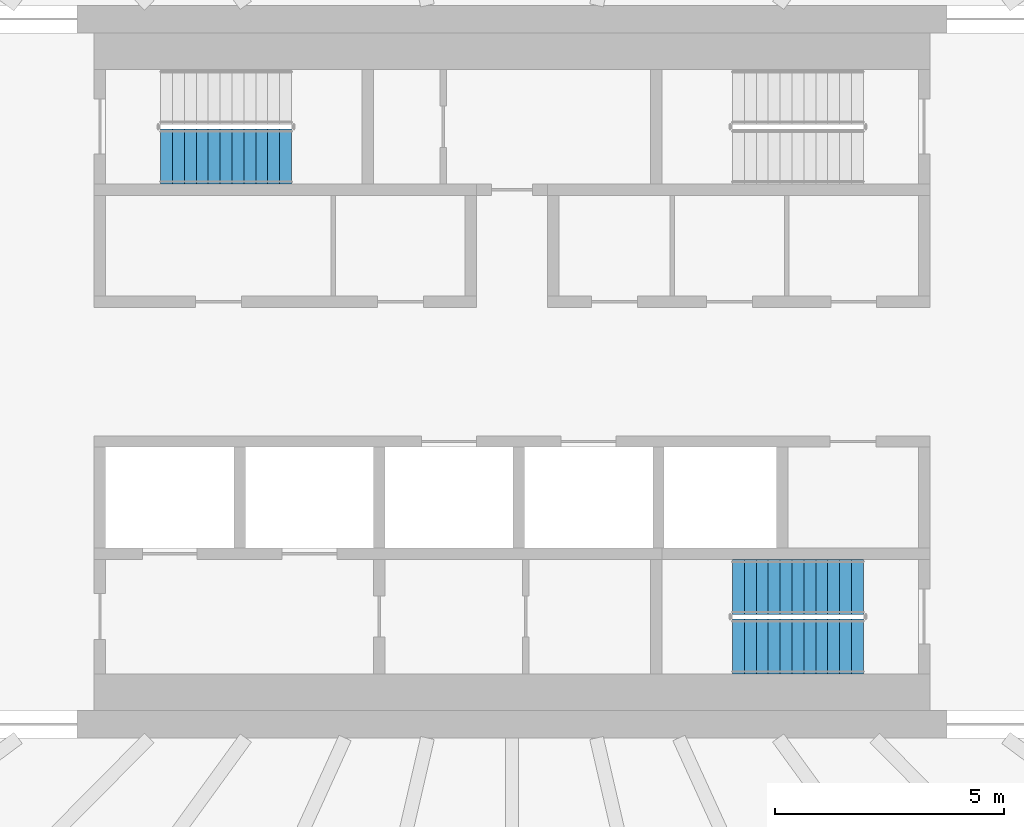
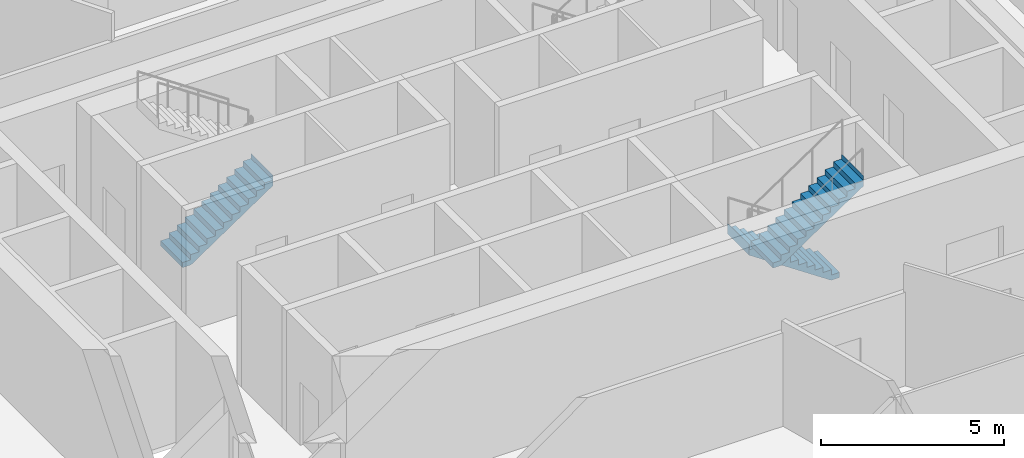
# One storey, part 17 of 24: 3 stair flights, 2 elements without a shape of their own.
"""IFC4 building model written with IfcOpenShell, lengths in metres."""

from ifc_helpers import new_model, si_unit, direction, frame, origin, place, context, subcontext, project, spatial, triangles, material, type_object, element, aggregate, save


model = new_model("IFC4")

# Units and contexts
model_context = context("Model", 3, precision=1e-05, world=origin(), true_north=direction((0.0, 1.0)))
body_context = subcontext(model_context, "Body", "Model", "MODEL_VIEW")
ifc_project = project(units=[si_unit("LENGTHUNIT", "METRE"), si_unit("AREAUNIT", "SQUARE_METRE"), si_unit("VOLUMEUNIT", "CUBIC_METRE"), si_unit("PLANEANGLEUNIT", "RADIAN"), si_unit("MASSUNIT", "GRAM", prefix="KILO")], contexts=[model_context])

# Site, building, storey
site_placement = place(None, origin())
site = spatial("IfcSite", under=ifc_project, at=site_placement, CompositionType="ELEMENT")
building_placement = place(site_placement, origin())
building = spatial("IfcBuilding", under=site, at=building_placement, Name="Sahrelin Media Tower", CompositionType="ELEMENT")
storey_placement = place(building_placement, frame((0.0, 0.0, 123.0)))
storey = spatial("IfcBuildingStorey", under=building, at=storey_placement, Name="L24", CompositionType="ELEMENT", Elevation=123.0)

# Stair, stair flight
ifc_material = material(Name="Concrete C40/50", Category="concrete")
stair_type = type_object("IfcStairType", Name="Exit stair 1200", PredefinedType="HALF_TURN_STAIR", material=ifc_material)
placement = place(storey_placement, origin())
stair_1 = element("IfcStair", 1, at=placement, inside=storey, type_object=stair_type, Name="L24 Exit stair ST1", PredefinedType="HALF_TURN_STAIR")
stair_flight_type = type_object("IfcStairFlightType", Name="Stair flight 1200", PredefinedType="STRAIGHT", material=ifc_material)
stair_flight_1_placement = place(storey_placement, frame((-7.675048828125, 4.699951171875, 0.0), z_axis=(0.0, 0.0, 1.0), x_axis=(1.0, 0.0, 0.0)))
stair_flight_1 = element("IfcStairFlight", 2, at=stair_flight_1_placement, type_object=stair_flight_type, Name="ST1 flight 1", NumberOfRisers=12, NumberOfTreads=11, PredefinedType="STRAIGHT", RiserHeight=0.175, TreadLength=0.26, context=body_context, shape_type="Tessellation", body=[
    triangles([(0.2685546875, 0.60009765625, 0.0), (0.2685546875, 0.300048828125, 0.0), (0.2685546875, 0.0, 0.0), (0.2685546875, -0.300048828125, 0.0), (0.2685546875, -0.60009765625, 0.0), (2.860107421875, 0.60009765625, 1.744384765625), (2.860107421875, 0.300048828125, 1.744384765625), (2.860107421875, 0.0, 1.744384765625), (2.860107421875, -0.300048828125, 1.744384765625), (2.860107421875, -0.60009765625, 1.744384765625), (2.860107421875, 0.60009765625, 2.10009765625), (2.860107421875, 0.300048828125, 2.10009765625), (2.860107421875, 0.0, 2.10009765625), (2.860107421875, -0.300048828125, 2.10009765625), (2.860107421875, -0.60009765625, 2.10009765625), (2.85791015625, 0.60009765625, 2.10009765625), (2.85791015625, 0.300048828125, 2.10009765625), (2.85791015625, 0.0, 2.10009765625), (2.85791015625, -0.300048828125, 2.10009765625), (2.85791015625, -0.60009765625, 2.10009765625), (2.85791015625, 0.60009765625, 1.925048828125), (2.85791015625, 0.300048828125, 1.925048828125), (2.85791015625, 0.0, 1.925048828125), (2.85791015625, -0.300048828125, 1.925048828125), (2.85791015625, -0.60009765625, 1.925048828125), (2.60009765625, 0.60009765625, 1.925048828125), (2.60009765625, 0.300048828125, 1.925048828125), (2.60009765625, 0.0, 1.925048828125), (2.60009765625, -0.300048828125, 1.925048828125), (2.60009765625, -0.60009765625, 1.925048828125), (2.60009765625, 0.60009765625, 1.75), (2.60009765625, 0.300048828125, 1.75), (2.60009765625, 0.0, 1.75), (2.60009765625, -0.300048828125, 1.75), (2.60009765625, -0.60009765625, 1.75), (2.340087890625, 0.60009765625, 1.75), (2.340087890625, 0.300048828125, 1.75), (2.340087890625, 0.0, 1.75), (2.340087890625, -0.300048828125, 1.75), (2.340087890625, -0.60009765625, 1.75), (2.340087890625, 0.60009765625, 1.574951171875), (2.340087890625, 0.300048828125, 1.574951171875), (2.340087890625, 0.0, 1.574951171875), (2.340087890625, -0.300048828125, 1.574951171875), (2.340087890625, -0.60009765625, 1.574951171875), (2.080078125, 0.60009765625, 1.574951171875), (2.080078125, 0.300048828125, 1.574951171875), (2.080078125, 0.0, 1.574951171875), (2.080078125, -0.300048828125, 1.574951171875), (2.080078125, -0.60009765625, 1.574951171875), (2.080078125, 0.60009765625, 1.39990234375), (2.080078125, 0.300048828125, 1.39990234375), (2.080078125, 0.0, 1.39990234375), (2.080078125, -0.300048828125, 1.39990234375), (2.080078125, -0.60009765625, 1.39990234375), (1.820068359375, 0.60009765625, 1.39990234375), (1.820068359375, 0.300048828125, 1.39990234375), (1.820068359375, 0.0, 1.39990234375), (1.820068359375, -0.300048828125, 1.39990234375), (1.820068359375, -0.60009765625, 1.39990234375), (1.820068359375, 0.60009765625, 1.22509765625), (1.820068359375, 0.300048828125, 1.22509765625), (1.820068359375, 0.0, 1.22509765625), (1.820068359375, -0.300048828125, 1.22509765625), (1.820068359375, -0.60009765625, 1.22509765625), (1.56005859375, 0.60009765625, 1.22509765625), (1.56005859375, 0.300048828125, 1.22509765625), (1.56005859375, 0.0, 1.22509765625), (1.56005859375, -0.300048828125, 1.22509765625), (1.56005859375, -0.60009765625, 1.22509765625), (1.56005859375, 0.60009765625, 1.050048828125), (1.56005859375, 0.300048828125, 1.050048828125), (1.56005859375, 0.0, 1.050048828125), (1.56005859375, -0.300048828125, 1.050048828125), (1.56005859375, -0.60009765625, 1.050048828125), (1.300048828125, 0.60009765625, 1.050048828125), (1.300048828125, 0.300048828125, 1.050048828125), (1.300048828125, 0.0, 1.050048828125), (1.300048828125, -0.300048828125, 1.050048828125), (1.300048828125, -0.60009765625, 1.050048828125), (1.300048828125, 0.60009765625, 0.875), (1.300048828125, 0.300048828125, 0.875), (1.300048828125, 0.0, 0.875), (1.300048828125, -0.300048828125, 0.875), (1.300048828125, -0.60009765625, 0.875), (1.0400390625, 0.60009765625, 0.875), (1.0400390625, 0.300048828125, 0.875), (1.0400390625, 0.0, 0.875), (1.0400390625, -0.300048828125, 0.875), (1.0400390625, -0.60009765625, 0.875), (1.0400390625, 0.60009765625, 0.699951171875), (1.0400390625, 0.300048828125, 0.699951171875), (1.0400390625, 0.0, 0.699951171875), (1.0400390625, -0.300048828125, 0.699951171875), (1.0400390625, -0.60009765625, 0.699951171875), (0.780029296875, 0.60009765625, 0.699951171875), (0.780029296875, 0.300048828125, 0.699951171875), (0.780029296875, 0.0, 0.699951171875), (0.780029296875, -0.300048828125, 0.699951171875), (0.780029296875, -0.60009765625, 0.699951171875), (0.780029296875, 0.60009765625, 0.52490234375), (0.780029296875, 0.300048828125, 0.52490234375), (0.780029296875, 0.0, 0.52490234375), (0.780029296875, -0.300048828125, 0.52490234375), (0.780029296875, -0.60009765625, 0.52490234375), (0.52001953125, 0.60009765625, 0.52490234375), (0.52001953125, 0.300048828125, 0.52490234375), (0.52001953125, 0.0, 0.52490234375), (0.52001953125, -0.300048828125, 0.52490234375), (0.52001953125, -0.60009765625, 0.52490234375), (0.52001953125, 0.60009765625, 0.35009765625), (0.52001953125, 0.300048828125, 0.35009765625), (0.52001953125, 0.0, 0.35009765625), (0.52001953125, -0.300048828125, 0.35009765625), (0.52001953125, -0.60009765625, 0.35009765625), (0.260009765625, 0.60009765625, 0.35009765625), (0.260009765625, 0.300048828125, 0.35009765625), (0.260009765625, 0.0, 0.35009765625), (0.260009765625, -0.300048828125, 0.35009765625), (0.260009765625, -0.60009765625, 0.35009765625), (0.260009765625, 0.60009765625, 0.175048828125), (0.260009765625, 0.300048828125, 0.175048828125), (0.260009765625, 0.0, 0.175048828125), (0.260009765625, -0.300048828125, 0.175048828125), (0.260009765625, -0.60009765625, 0.175048828125), (0.0, 0.60009765625, 0.175048828125), (0.0, 0.300048828125, 0.175048828125), (0.0, 0.0, 0.175048828125), (0.0, -0.300048828125, 0.175048828125), (0.0, -0.60009765625, 0.175048828125), (0.0, 0.60009765625, 0.0), (0.0, 0.300048828125, 0.0), (0.0, 0.0, 0.0), (0.0, -0.300048828125, 0.0), (0.0, -0.60009765625, 0.0)], [[1, 6, 7], [1, 7, 2], [2, 7, 8], [2, 8, 3], [3, 8, 9], [3, 9, 4], [4, 9, 10], [4, 10, 5], [6, 11, 12], [6, 12, 7], [7, 12, 13], [7, 13, 8], [8, 13, 14], [8, 14, 9], [9, 14, 15], [9, 15, 10], [11, 16, 17], [11, 17, 12], [12, 17, 18], [12, 18, 13], [13, 18, 19], [13, 19, 14], [14, 19, 20], [14, 20, 15], [16, 21, 22], [16, 22, 17], [17, 22, 23], [17, 23, 18], [18, 23, 24], [18, 24, 19], [19, 24, 25], [19, 25, 20], [21, 26, 27], [21, 27, 22], [22, 27, 28], [22, 28, 23], [23, 28, 29], [23, 29, 24], [24, 29, 30], [24, 30, 25], [26, 31, 32], [26, 32, 27], [27, 32, 33], [27, 33, 28], [28, 33, 34], [28, 34, 29], [29, 34, 35], [29, 35, 30], [31, 36, 37], [31, 37, 32], [32, 37, 38], [32, 38, 33], [33, 38, 39], [33, 39, 34], [34, 39, 40], [34, 40, 35], [36, 41, 42], [36, 42, 37], [37, 42, 43], [37, 43, 38], [38, 43, 44], [38, 44, 39], [39, 44, 45], [39, 45, 40], [41, 46, 47], [41, 47, 42], [42, 47, 48], [42, 48, 43], [43, 48, 49], [43, 49, 44], [44, 49, 50], [44, 50, 45], [46, 51, 52], [46, 52, 47], [47, 52, 53], [47, 53, 48], [48, 53, 54], [48, 54, 49], [49, 54, 55], [49, 55, 50], [51, 56, 57], [51, 57, 52], [52, 57, 58], [52, 58, 53], [53, 58, 59], [53, 59, 54], [54, 59, 60], [54, 60, 55], [56, 61, 62], [56, 62, 57], [57, 62, 63], [57, 63, 58], [58, 63, 64], [58, 64, 59], [59, 64, 65], [59, 65, 60], [61, 66, 67], [61, 67, 62], [62, 67, 68], [62, 68, 63], [63, 68, 69], [63, 69, 64], [64, 69, 70], [64, 70, 65], [66, 71, 72], [66, 72, 67], [67, 72, 73], [67, 73, 68], [68, 73, 74], [68, 74, 69], [69, 74, 75], [69, 75, 70], [71, 76, 77], [71, 77, 72], [72, 77, 78], [72, 78, 73], [73, 78, 79], [73, 79, 74], [74, 79, 80], [74, 80, 75], [76, 81, 82], [76, 82, 77], [77, 82, 83], [77, 83, 78], [78, 83, 84], [78, 84, 79], [79, 84, 85], [79, 85, 80], [81, 86, 87], [81, 87, 82], [82, 87, 88], [82, 88, 83], [83, 88, 89], [83, 89, 84], [84, 89, 90], [84, 90, 85], [86, 91, 92], [86, 92, 87], [87, 92, 93], [87, 93, 88], [88, 93, 94], [88, 94, 89], [89, 94, 95], [89, 95, 90], [91, 96, 97], [91, 97, 92], [92, 97, 98], [92, 98, 93], [93, 98, 99], [93, 99, 94], [94, 99, 100], [94, 100, 95], [96, 101, 102], [96, 102, 97], [97, 102, 103], [97, 103, 98], [98, 103, 104], [98, 104, 99], [99, 104, 105], [99, 105, 100], [101, 106, 107], [101, 107, 102], [102, 107, 108], [102, 108, 103], [103, 108, 109], [103, 109, 104], [104, 109, 110], [104, 110, 105], [106, 111, 112], [106, 112, 107], [107, 112, 113], [107, 113, 108], [108, 113, 114], [108, 114, 109], [109, 114, 115], [109, 115, 110], [111, 116, 117], [111, 117, 112], [112, 117, 118], [112, 118, 113], [113, 118, 119], [113, 119, 114], [114, 119, 120], [114, 120, 115], [116, 121, 122], [116, 122, 117], [117, 122, 123], [117, 123, 118], [118, 123, 124], [118, 124, 119], [119, 124, 125], [119, 125, 120], [121, 126, 127], [121, 127, 122], [122, 127, 128], [122, 128, 123], [123, 128, 129], [123, 129, 124], [124, 129, 130], [124, 130, 125], [126, 131, 132], [126, 132, 127], [127, 132, 133], [127, 133, 128], [128, 133, 134], [128, 134, 129], [129, 134, 135], [129, 135, 130], [131, 1, 2], [131, 2, 132], [132, 2, 3], [132, 3, 133], [133, 3, 4], [133, 4, 134], [134, 4, 5], [134, 5, 135], [125, 130, 135], [121, 131, 126], [125, 115, 120], [121, 116, 111], [115, 105, 110], [111, 106, 101], [105, 95, 100], [101, 96, 91], [95, 85, 90], [91, 86, 81], [85, 75, 80], [81, 76, 71], [75, 65, 70], [71, 66, 61], [65, 55, 60], [61, 56, 51], [55, 45, 50], [51, 46, 41], [45, 35, 40], [41, 36, 31], [35, 25, 30], [31, 26, 21], [25, 15, 20], [21, 16, 11], [135, 5, 125], [131, 121, 1], [95, 105, 5], [91, 1, 101], [5, 10, 75], [1, 71, 6], [10, 35, 45], [6, 41, 31], [25, 10, 15], [21, 11, 6], [115, 125, 5], [111, 1, 121], [75, 85, 5], [71, 1, 81], [35, 10, 25], [31, 21, 6], [105, 115, 5], [101, 1, 111], [45, 55, 10], [41, 6, 51], [85, 95, 5], [81, 1, 91], [65, 10, 55], [61, 51, 6], [10, 65, 75], [6, 71, 61]], closed=True),
])
aggregate(stair_1, [stair_flight_1])

# Stair, stair flights
stair_2 = element("IfcStair", 3, at=placement, inside=storey, type_object=stair_type, Name="L24 Exit stair ST2", PredefinedType="HALF_TURN_STAIR")
stair_flight_2_placement = place(storey_placement, frame((7.675048828125, -4.699951171875, 0.0), z_axis=(0.0, 0.0, 1.0), x_axis=(-1.0, 0.0, 0.0)))
stair_flight_2 = element("IfcStairFlight", 4, at=stair_flight_2_placement, type_object=stair_flight_type, Name="ST2 flight 1", NumberOfRisers=12, NumberOfTreads=11, PredefinedType="STRAIGHT", RiserHeight=0.175, TreadLength=0.26, context=body_context, shape_type="Tessellation", body=[
    triangles([(0.2685546875, 0.60009765625, 0.0), (0.2685546875, 0.300048828125, 0.0), (0.2685546875, 0.0, 0.0), (0.2685546875, -0.300048828125, 0.0), (0.2685546875, -0.60009765625, 0.0), (2.860107421875, 0.60009765625, 1.744384765625), (2.860107421875, 0.300048828125, 1.744384765625), (2.860107421875, 0.0, 1.744384765625), (2.860107421875, -0.300048828125, 1.744384765625), (2.860107421875, -0.60009765625, 1.744384765625), (2.860107421875, 0.60009765625, 2.10009765625), (2.860107421875, 0.300048828125, 2.10009765625), (2.860107421875, 0.0, 2.10009765625), (2.860107421875, -0.300048828125, 2.10009765625), (2.860107421875, -0.60009765625, 2.10009765625), (2.85791015625, 0.60009765625, 2.10009765625), (2.85791015625, 0.300048828125, 2.10009765625), (2.85791015625, 0.0, 2.10009765625), (2.85791015625, -0.300048828125, 2.10009765625), (2.85791015625, -0.60009765625, 2.10009765625), (2.85791015625, 0.60009765625, 1.925048828125), (2.85791015625, 0.300048828125, 1.925048828125), (2.85791015625, 0.0, 1.925048828125), (2.85791015625, -0.300048828125, 1.925048828125), (2.85791015625, -0.60009765625, 1.925048828125), (2.60009765625, 0.60009765625, 1.925048828125), (2.60009765625, 0.300048828125, 1.925048828125), (2.60009765625, 0.0, 1.925048828125), (2.60009765625, -0.300048828125, 1.925048828125), (2.60009765625, -0.60009765625, 1.925048828125), (2.60009765625, 0.60009765625, 1.75), (2.60009765625, 0.300048828125, 1.75), (2.60009765625, 0.0, 1.75), (2.60009765625, -0.300048828125, 1.75), (2.60009765625, -0.60009765625, 1.75), (2.340087890625, 0.60009765625, 1.75), (2.340087890625, 0.300048828125, 1.75), (2.340087890625, 0.0, 1.75), (2.340087890625, -0.300048828125, 1.75), (2.340087890625, -0.60009765625, 1.75), (2.340087890625, 0.60009765625, 1.574951171875), (2.340087890625, 0.300048828125, 1.574951171875), (2.340087890625, 0.0, 1.574951171875), (2.340087890625, -0.300048828125, 1.574951171875), (2.340087890625, -0.60009765625, 1.574951171875), (2.080078125, 0.60009765625, 1.574951171875), (2.080078125, 0.300048828125, 1.574951171875), (2.080078125, 0.0, 1.574951171875), (2.080078125, -0.300048828125, 1.574951171875), (2.080078125, -0.60009765625, 1.574951171875), (2.080078125, 0.60009765625, 1.39990234375), (2.080078125, 0.300048828125, 1.39990234375), (2.080078125, 0.0, 1.39990234375), (2.080078125, -0.300048828125, 1.39990234375), (2.080078125, -0.60009765625, 1.39990234375), (1.820068359375, 0.60009765625, 1.39990234375), (1.820068359375, 0.300048828125, 1.39990234375), (1.820068359375, 0.0, 1.39990234375), (1.820068359375, -0.300048828125, 1.39990234375), (1.820068359375, -0.60009765625, 1.39990234375), (1.820068359375, 0.60009765625, 1.22509765625), (1.820068359375, 0.300048828125, 1.22509765625), (1.820068359375, 0.0, 1.22509765625), (1.820068359375, -0.300048828125, 1.22509765625), (1.820068359375, -0.60009765625, 1.22509765625), (1.56005859375, 0.60009765625, 1.22509765625), (1.56005859375, 0.300048828125, 1.22509765625), (1.56005859375, 0.0, 1.22509765625), (1.56005859375, -0.300048828125, 1.22509765625), (1.56005859375, -0.60009765625, 1.22509765625), (1.56005859375, 0.60009765625, 1.050048828125), (1.56005859375, 0.300048828125, 1.050048828125), (1.56005859375, 0.0, 1.050048828125), (1.56005859375, -0.300048828125, 1.050048828125), (1.56005859375, -0.60009765625, 1.050048828125), (1.300048828125, 0.60009765625, 1.050048828125), (1.300048828125, 0.300048828125, 1.050048828125), (1.300048828125, 0.0, 1.050048828125), (1.300048828125, -0.300048828125, 1.050048828125), (1.300048828125, -0.60009765625, 1.050048828125), (1.300048828125, 0.60009765625, 0.875), (1.300048828125, 0.300048828125, 0.875), (1.300048828125, 0.0, 0.875), (1.300048828125, -0.300048828125, 0.875), (1.300048828125, -0.60009765625, 0.875), (1.0400390625, 0.60009765625, 0.875), (1.0400390625, 0.300048828125, 0.875), (1.0400390625, 0.0, 0.875), (1.0400390625, -0.300048828125, 0.875), (1.0400390625, -0.60009765625, 0.875), (1.0400390625, 0.60009765625, 0.699951171875), (1.0400390625, 0.300048828125, 0.699951171875), (1.0400390625, 0.0, 0.699951171875), (1.0400390625, -0.300048828125, 0.699951171875), (1.0400390625, -0.60009765625, 0.699951171875), (0.780029296875, 0.60009765625, 0.699951171875), (0.780029296875, 0.300048828125, 0.699951171875), (0.780029296875, 0.0, 0.699951171875), (0.780029296875, -0.300048828125, 0.699951171875), (0.780029296875, -0.60009765625, 0.699951171875), (0.780029296875, 0.60009765625, 0.52490234375), (0.780029296875, 0.300048828125, 0.52490234375), (0.780029296875, 0.0, 0.52490234375), (0.780029296875, -0.300048828125, 0.52490234375), (0.780029296875, -0.60009765625, 0.52490234375), (0.52001953125, 0.60009765625, 0.52490234375), (0.52001953125, 0.300048828125, 0.52490234375), (0.52001953125, 0.0, 0.52490234375), (0.52001953125, -0.300048828125, 0.52490234375), (0.52001953125, -0.60009765625, 0.52490234375), (0.52001953125, 0.60009765625, 0.35009765625), (0.52001953125, 0.300048828125, 0.35009765625), (0.52001953125, 0.0, 0.35009765625), (0.52001953125, -0.300048828125, 0.35009765625), (0.52001953125, -0.60009765625, 0.35009765625), (0.260009765625, 0.60009765625, 0.35009765625), (0.260009765625, 0.300048828125, 0.35009765625), (0.260009765625, 0.0, 0.35009765625), (0.260009765625, -0.300048828125, 0.35009765625), (0.260009765625, -0.60009765625, 0.35009765625), (0.260009765625, 0.60009765625, 0.175048828125), (0.260009765625, 0.300048828125, 0.175048828125), (0.260009765625, 0.0, 0.175048828125), (0.260009765625, -0.300048828125, 0.175048828125), (0.260009765625, -0.60009765625, 0.175048828125), (0.0, 0.60009765625, 0.175048828125), (0.0, 0.300048828125, 0.175048828125), (0.0, 0.0, 0.175048828125), (0.0, -0.300048828125, 0.175048828125), (0.0, -0.60009765625, 0.175048828125), (0.0, 0.60009765625, 0.0), (0.0, 0.300048828125, 0.0), (0.0, 0.0, 0.0), (0.0, -0.300048828125, 0.0), (0.0, -0.60009765625, 0.0)], [[1, 6, 7], [1, 7, 2], [2, 7, 8], [2, 8, 3], [3, 8, 9], [3, 9, 4], [4, 9, 10], [4, 10, 5], [6, 11, 12], [6, 12, 7], [7, 12, 13], [7, 13, 8], [8, 13, 14], [8, 14, 9], [9, 14, 15], [9, 15, 10], [11, 16, 17], [11, 17, 12], [12, 17, 18], [12, 18, 13], [13, 18, 19], [13, 19, 14], [14, 19, 20], [14, 20, 15], [16, 21, 22], [16, 22, 17], [17, 22, 23], [17, 23, 18], [18, 23, 24], [18, 24, 19], [19, 24, 25], [19, 25, 20], [21, 26, 27], [21, 27, 22], [22, 27, 28], [22, 28, 23], [23, 28, 29], [23, 29, 24], [24, 29, 30], [24, 30, 25], [26, 31, 32], [26, 32, 27], [27, 32, 33], [27, 33, 28], [28, 33, 34], [28, 34, 29], [29, 34, 35], [29, 35, 30], [31, 36, 37], [31, 37, 32], [32, 37, 38], [32, 38, 33], [33, 38, 39], [33, 39, 34], [34, 39, 40], [34, 40, 35], [36, 41, 42], [36, 42, 37], [37, 42, 43], [37, 43, 38], [38, 43, 44], [38, 44, 39], [39, 44, 45], [39, 45, 40], [41, 46, 47], [41, 47, 42], [42, 47, 48], [42, 48, 43], [43, 48, 49], [43, 49, 44], [44, 49, 50], [44, 50, 45], [46, 51, 52], [46, 52, 47], [47, 52, 53], [47, 53, 48], [48, 53, 54], [48, 54, 49], [49, 54, 55], [49, 55, 50], [51, 56, 57], [51, 57, 52], [52, 57, 58], [52, 58, 53], [53, 58, 59], [53, 59, 54], [54, 59, 60], [54, 60, 55], [56, 61, 62], [56, 62, 57], [57, 62, 63], [57, 63, 58], [58, 63, 64], [58, 64, 59], [59, 64, 65], [59, 65, 60], [61, 66, 67], [61, 67, 62], [62, 67, 68], [62, 68, 63], [63, 68, 69], [63, 69, 64], [64, 69, 70], [64, 70, 65], [66, 71, 72], [66, 72, 67], [67, 72, 73], [67, 73, 68], [68, 73, 74], [68, 74, 69], [69, 74, 75], [69, 75, 70], [71, 76, 77], [71, 77, 72], [72, 77, 78], [72, 78, 73], [73, 78, 79], [73, 79, 74], [74, 79, 80], [74, 80, 75], [76, 81, 82], [76, 82, 77], [77, 82, 83], [77, 83, 78], [78, 83, 84], [78, 84, 79], [79, 84, 85], [79, 85, 80], [81, 86, 87], [81, 87, 82], [82, 87, 88], [82, 88, 83], [83, 88, 89], [83, 89, 84], [84, 89, 90], [84, 90, 85], [86, 91, 92], [86, 92, 87], [87, 92, 93], [87, 93, 88], [88, 93, 94], [88, 94, 89], [89, 94, 95], [89, 95, 90], [91, 96, 97], [91, 97, 92], [92, 97, 98], [92, 98, 93], [93, 98, 99], [93, 99, 94], [94, 99, 100], [94, 100, 95], [96, 101, 102], [96, 102, 97], [97, 102, 103], [97, 103, 98], [98, 103, 104], [98, 104, 99], [99, 104, 105], [99, 105, 100], [101, 106, 107], [101, 107, 102], [102, 107, 108], [102, 108, 103], [103, 108, 109], [103, 109, 104], [104, 109, 110], [104, 110, 105], [106, 111, 112], [106, 112, 107], [107, 112, 113], [107, 113, 108], [108, 113, 114], [108, 114, 109], [109, 114, 115], [109, 115, 110], [111, 116, 117], [111, 117, 112], [112, 117, 118], [112, 118, 113], [113, 118, 119], [113, 119, 114], [114, 119, 120], [114, 120, 115], [116, 121, 122], [116, 122, 117], [117, 122, 123], [117, 123, 118], [118, 123, 124], [118, 124, 119], [119, 124, 125], [119, 125, 120], [121, 126, 127], [121, 127, 122], [122, 127, 128], [122, 128, 123], [123, 128, 129], [123, 129, 124], [124, 129, 130], [124, 130, 125], [126, 131, 132], [126, 132, 127], [127, 132, 133], [127, 133, 128], [128, 133, 134], [128, 134, 129], [129, 134, 135], [129, 135, 130], [131, 1, 2], [131, 2, 132], [132, 2, 3], [132, 3, 133], [133, 3, 4], [133, 4, 134], [134, 4, 5], [134, 5, 135], [125, 130, 135], [121, 131, 126], [125, 115, 120], [121, 116, 111], [115, 105, 110], [111, 106, 101], [105, 95, 100], [101, 96, 91], [95, 85, 90], [91, 86, 81], [85, 75, 80], [81, 76, 71], [75, 65, 70], [71, 66, 61], [65, 55, 60], [61, 56, 51], [55, 45, 50], [51, 46, 41], [45, 35, 40], [41, 36, 31], [35, 25, 30], [31, 26, 21], [25, 15, 20], [21, 16, 11], [135, 5, 125], [131, 121, 1], [95, 105, 5], [91, 1, 101], [5, 10, 75], [1, 71, 6], [10, 35, 45], [6, 41, 31], [25, 10, 15], [21, 11, 6], [115, 125, 5], [111, 1, 121], [75, 85, 5], [71, 1, 81], [35, 10, 25], [31, 21, 6], [105, 115, 5], [101, 1, 111], [45, 55, 10], [41, 6, 51], [85, 95, 5], [81, 1, 91], [65, 10, 55], [61, 51, 6], [10, 65, 75], [6, 71, 61]], closed=True),
])
stair_flight_3_placement = place(storey_placement, frame((4.81494140625, -6.0, 2.10009765625), z_axis=(0.0, 0.0, 1.0), x_axis=(1.0, 0.0, 0.0)))
stair_flight_3 = element("IfcStairFlight", 5, at=stair_flight_3_placement, type_object=stair_flight_type, Name="ST2 flight 2", NumberOfRisers=12, NumberOfTreads=11, PredefinedType="STRAIGHT", RiserHeight=0.175, TreadLength=0.26, context=body_context, shape_type="Tessellation", body=[
    triangles([(0.2685546875, 0.60009765625, 0.0), (0.2685546875, 0.300048828125, 0.0), (0.2685546875, 0.0, 0.0), (0.2685546875, -0.300048828125, 0.0), (0.2685546875, -0.60009765625, 0.0), (2.860107421875, 0.60009765625, 1.744384765625), (2.860107421875, 0.300048828125, 1.744384765625), (2.860107421875, 0.0, 1.744384765625), (2.860107421875, -0.300048828125, 1.744384765625), (2.860107421875, -0.60009765625, 1.744384765625), (2.860107421875, 0.60009765625, 2.10009765625), (2.860107421875, 0.300048828125, 2.10009765625), (2.860107421875, 0.0, 2.10009765625), (2.860107421875, -0.300048828125, 2.10009765625), (2.860107421875, -0.60009765625, 2.10009765625), (2.85791015625, 0.60009765625, 2.10009765625), (2.85791015625, 0.300048828125, 2.10009765625), (2.85791015625, 0.0, 2.10009765625), (2.85791015625, -0.300048828125, 2.10009765625), (2.85791015625, -0.60009765625, 2.10009765625), (2.85791015625, 0.60009765625, 1.925048828125), (2.85791015625, 0.300048828125, 1.925048828125), (2.85791015625, 0.0, 1.925048828125), (2.85791015625, -0.300048828125, 1.925048828125), (2.85791015625, -0.60009765625, 1.925048828125), (2.60009765625, 0.60009765625, 1.925048828125), (2.60009765625, 0.300048828125, 1.925048828125), (2.60009765625, 0.0, 1.925048828125), (2.60009765625, -0.300048828125, 1.925048828125), (2.60009765625, -0.60009765625, 1.925048828125), (2.60009765625, 0.60009765625, 1.75), (2.60009765625, 0.300048828125, 1.75), (2.60009765625, 0.0, 1.75), (2.60009765625, -0.300048828125, 1.75), (2.60009765625, -0.60009765625, 1.75), (2.340087890625, 0.60009765625, 1.75), (2.340087890625, 0.300048828125, 1.75), (2.340087890625, 0.0, 1.75), (2.340087890625, -0.300048828125, 1.75), (2.340087890625, -0.60009765625, 1.75), (2.340087890625, 0.60009765625, 1.574951171875), (2.340087890625, 0.300048828125, 1.574951171875), (2.340087890625, 0.0, 1.574951171875), (2.340087890625, -0.300048828125, 1.574951171875), (2.340087890625, -0.60009765625, 1.574951171875), (2.080078125, 0.60009765625, 1.574951171875), (2.080078125, 0.300048828125, 1.574951171875), (2.080078125, 0.0, 1.574951171875), (2.080078125, -0.300048828125, 1.574951171875), (2.080078125, -0.60009765625, 1.574951171875), (2.080078125, 0.60009765625, 1.39990234375), (2.080078125, 0.300048828125, 1.39990234375), (2.080078125, 0.0, 1.39990234375), (2.080078125, -0.300048828125, 1.39990234375), (2.080078125, -0.60009765625, 1.39990234375), (1.820068359375, 0.60009765625, 1.39990234375), (1.820068359375, 0.300048828125, 1.39990234375), (1.820068359375, 0.0, 1.39990234375), (1.820068359375, -0.300048828125, 1.39990234375), (1.820068359375, -0.60009765625, 1.39990234375), (1.820068359375, 0.60009765625, 1.22509765625), (1.820068359375, 0.300048828125, 1.22509765625), (1.820068359375, 0.0, 1.22509765625), (1.820068359375, -0.300048828125, 1.22509765625), (1.820068359375, -0.60009765625, 1.22509765625), (1.56005859375, 0.60009765625, 1.22509765625), (1.56005859375, 0.300048828125, 1.22509765625), (1.56005859375, 0.0, 1.22509765625), (1.56005859375, -0.300048828125, 1.22509765625), (1.56005859375, -0.60009765625, 1.22509765625), (1.56005859375, 0.60009765625, 1.050048828125), (1.56005859375, 0.300048828125, 1.050048828125), (1.56005859375, 0.0, 1.050048828125), (1.56005859375, -0.300048828125, 1.050048828125), (1.56005859375, -0.60009765625, 1.050048828125), (1.300048828125, 0.60009765625, 1.050048828125), (1.300048828125, 0.300048828125, 1.050048828125), (1.300048828125, 0.0, 1.050048828125), (1.300048828125, -0.300048828125, 1.050048828125), (1.300048828125, -0.60009765625, 1.050048828125), (1.300048828125, 0.60009765625, 0.875), (1.300048828125, 0.300048828125, 0.875), (1.300048828125, 0.0, 0.875), (1.300048828125, -0.300048828125, 0.875), (1.300048828125, -0.60009765625, 0.875), (1.0400390625, 0.60009765625, 0.875), (1.0400390625, 0.300048828125, 0.875), (1.0400390625, 0.0, 0.875), (1.0400390625, -0.300048828125, 0.875), (1.0400390625, -0.60009765625, 0.875), (1.0400390625, 0.60009765625, 0.699951171875), (1.0400390625, 0.300048828125, 0.699951171875), (1.0400390625, 0.0, 0.699951171875), (1.0400390625, -0.300048828125, 0.699951171875), (1.0400390625, -0.60009765625, 0.699951171875), (0.780029296875, 0.60009765625, 0.699951171875), (0.780029296875, 0.300048828125, 0.699951171875), (0.780029296875, 0.0, 0.699951171875), (0.780029296875, -0.300048828125, 0.699951171875), (0.780029296875, -0.60009765625, 0.699951171875), (0.780029296875, 0.60009765625, 0.52490234375), (0.780029296875, 0.300048828125, 0.52490234375), (0.780029296875, 0.0, 0.52490234375), (0.780029296875, -0.300048828125, 0.52490234375), (0.780029296875, -0.60009765625, 0.52490234375), (0.52001953125, 0.60009765625, 0.52490234375), (0.52001953125, 0.300048828125, 0.52490234375), (0.52001953125, 0.0, 0.52490234375), (0.52001953125, -0.300048828125, 0.52490234375), (0.52001953125, -0.60009765625, 0.52490234375), (0.52001953125, 0.60009765625, 0.35009765625), (0.52001953125, 0.300048828125, 0.35009765625), (0.52001953125, 0.0, 0.35009765625), (0.52001953125, -0.300048828125, 0.35009765625), (0.52001953125, -0.60009765625, 0.35009765625), (0.260009765625, 0.60009765625, 0.35009765625), (0.260009765625, 0.300048828125, 0.35009765625), (0.260009765625, 0.0, 0.35009765625), (0.260009765625, -0.300048828125, 0.35009765625), (0.260009765625, -0.60009765625, 0.35009765625), (0.260009765625, 0.60009765625, 0.175048828125), (0.260009765625, 0.300048828125, 0.175048828125), (0.260009765625, 0.0, 0.175048828125), (0.260009765625, -0.300048828125, 0.175048828125), (0.260009765625, -0.60009765625, 0.175048828125), (0.0, 0.60009765625, 0.175048828125), (0.0, 0.300048828125, 0.175048828125), (0.0, 0.0, 0.175048828125), (0.0, -0.300048828125, 0.175048828125), (0.0, -0.60009765625, 0.175048828125), (0.0, 0.60009765625, 0.0), (0.0, 0.300048828125, 0.0), (0.0, 0.0, 0.0), (0.0, -0.300048828125, 0.0), (0.0, -0.60009765625, 0.0)], [[1, 6, 7], [1, 7, 2], [2, 7, 8], [2, 8, 3], [3, 8, 9], [3, 9, 4], [4, 9, 10], [4, 10, 5], [6, 11, 12], [6, 12, 7], [7, 12, 13], [7, 13, 8], [8, 13, 14], [8, 14, 9], [9, 14, 15], [9, 15, 10], [11, 16, 17], [11, 17, 12], [12, 17, 18], [12, 18, 13], [13, 18, 19], [13, 19, 14], [14, 19, 20], [14, 20, 15], [16, 21, 22], [16, 22, 17], [17, 22, 23], [17, 23, 18], [18, 23, 24], [18, 24, 19], [19, 24, 25], [19, 25, 20], [21, 26, 27], [21, 27, 22], [22, 27, 28], [22, 28, 23], [23, 28, 29], [23, 29, 24], [24, 29, 30], [24, 30, 25], [26, 31, 32], [26, 32, 27], [27, 32, 33], [27, 33, 28], [28, 33, 34], [28, 34, 29], [29, 34, 35], [29, 35, 30], [31, 36, 37], [31, 37, 32], [32, 37, 38], [32, 38, 33], [33, 38, 39], [33, 39, 34], [34, 39, 40], [34, 40, 35], [36, 41, 42], [36, 42, 37], [37, 42, 43], [37, 43, 38], [38, 43, 44], [38, 44, 39], [39, 44, 45], [39, 45, 40], [41, 46, 47], [41, 47, 42], [42, 47, 48], [42, 48, 43], [43, 48, 49], [43, 49, 44], [44, 49, 50], [44, 50, 45], [46, 51, 52], [46, 52, 47], [47, 52, 53], [47, 53, 48], [48, 53, 54], [48, 54, 49], [49, 54, 55], [49, 55, 50], [51, 56, 57], [51, 57, 52], [52, 57, 58], [52, 58, 53], [53, 58, 59], [53, 59, 54], [54, 59, 60], [54, 60, 55], [56, 61, 62], [56, 62, 57], [57, 62, 63], [57, 63, 58], [58, 63, 64], [58, 64, 59], [59, 64, 65], [59, 65, 60], [61, 66, 67], [61, 67, 62], [62, 67, 68], [62, 68, 63], [63, 68, 69], [63, 69, 64], [64, 69, 70], [64, 70, 65], [66, 71, 72], [66, 72, 67], [67, 72, 73], [67, 73, 68], [68, 73, 74], [68, 74, 69], [69, 74, 75], [69, 75, 70], [71, 76, 77], [71, 77, 72], [72, 77, 78], [72, 78, 73], [73, 78, 79], [73, 79, 74], [74, 79, 80], [74, 80, 75], [76, 81, 82], [76, 82, 77], [77, 82, 83], [77, 83, 78], [78, 83, 84], [78, 84, 79], [79, 84, 85], [79, 85, 80], [81, 86, 87], [81, 87, 82], [82, 87, 88], [82, 88, 83], [83, 88, 89], [83, 89, 84], [84, 89, 90], [84, 90, 85], [86, 91, 92], [86, 92, 87], [87, 92, 93], [87, 93, 88], [88, 93, 94], [88, 94, 89], [89, 94, 95], [89, 95, 90], [91, 96, 97], [91, 97, 92], [92, 97, 98], [92, 98, 93], [93, 98, 99], [93, 99, 94], [94, 99, 100], [94, 100, 95], [96, 101, 102], [96, 102, 97], [97, 102, 103], [97, 103, 98], [98, 103, 104], [98, 104, 99], [99, 104, 105], [99, 105, 100], [101, 106, 107], [101, 107, 102], [102, 107, 108], [102, 108, 103], [103, 108, 109], [103, 109, 104], [104, 109, 110], [104, 110, 105], [106, 111, 112], [106, 112, 107], [107, 112, 113], [107, 113, 108], [108, 113, 114], [108, 114, 109], [109, 114, 115], [109, 115, 110], [111, 116, 117], [111, 117, 112], [112, 117, 118], [112, 118, 113], [113, 118, 119], [113, 119, 114], [114, 119, 120], [114, 120, 115], [116, 121, 122], [116, 122, 117], [117, 122, 123], [117, 123, 118], [118, 123, 124], [118, 124, 119], [119, 124, 125], [119, 125, 120], [121, 126, 127], [121, 127, 122], [122, 127, 128], [122, 128, 123], [123, 128, 129], [123, 129, 124], [124, 129, 130], [124, 130, 125], [126, 131, 132], [126, 132, 127], [127, 132, 133], [127, 133, 128], [128, 133, 134], [128, 134, 129], [129, 134, 135], [129, 135, 130], [131, 1, 2], [131, 2, 132], [132, 2, 3], [132, 3, 133], [133, 3, 4], [133, 4, 134], [134, 4, 5], [134, 5, 135], [125, 130, 135], [121, 131, 126], [125, 115, 120], [121, 116, 111], [115, 105, 110], [111, 106, 101], [105, 95, 100], [101, 96, 91], [95, 85, 90], [91, 86, 81], [85, 75, 80], [81, 76, 71], [75, 65, 70], [71, 66, 61], [65, 55, 60], [61, 56, 51], [55, 45, 50], [51, 46, 41], [45, 35, 40], [41, 36, 31], [35, 25, 30], [31, 26, 21], [25, 15, 20], [21, 16, 11], [135, 5, 125], [131, 121, 1], [95, 105, 5], [91, 1, 101], [5, 10, 75], [1, 71, 6], [10, 35, 45], [6, 41, 31], [25, 10, 15], [21, 11, 6], [115, 125, 5], [111, 1, 121], [75, 85, 5], [71, 1, 81], [35, 10, 25], [31, 21, 6], [105, 115, 5], [101, 1, 111], [45, 55, 10], [41, 6, 51], [85, 95, 5], [81, 1, 91], [65, 10, 55], [61, 51, 6], [10, 65, 75], [6, 71, 61]], closed=True),
])
aggregate(stair_2, [stair_flight_2, stair_flight_3])

save(model, "model.ifc")
